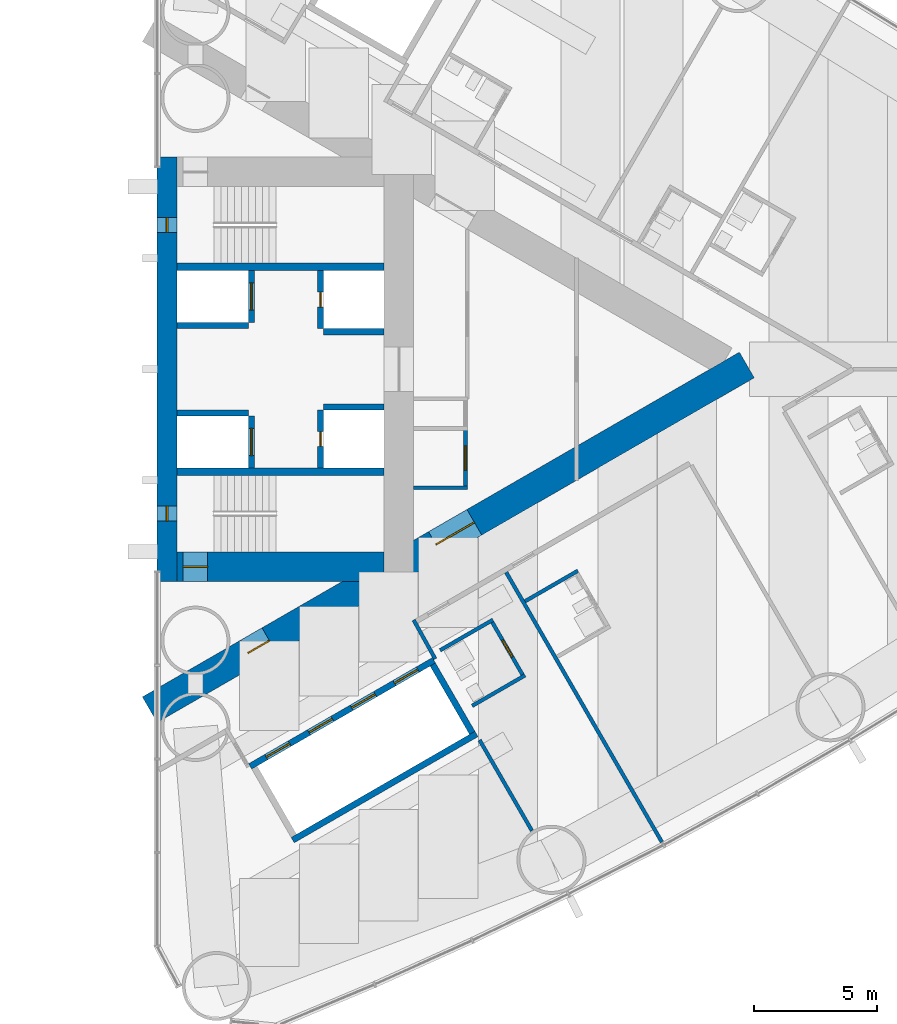
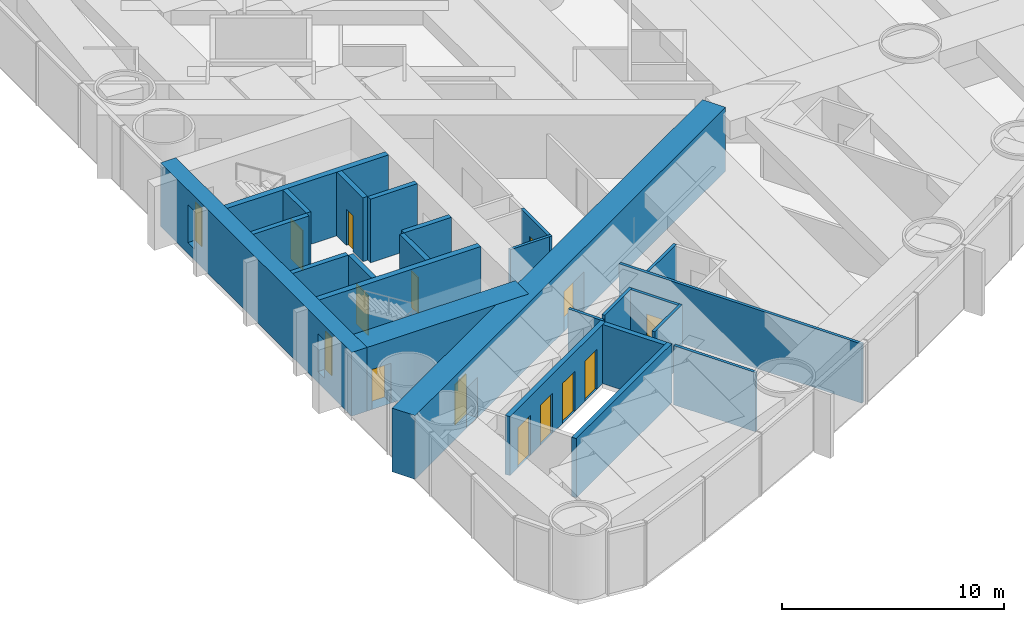
# One storey, part 14 of 19: 25 walls, 13 doors, 2 windows, 15 openings.
"""IFC4 building model written with IfcOpenShell, lengths in metres."""

from ifc_helpers import new_model, si_unit, direction, frame, frame_2d, origin, place, context, subcontext, project, spatial, rectangle, extrude, material, layer, layer_set, type_object, element, fill, save


model = new_model("IFC4")

# Units and contexts
model_context = context("Model", 3, precision=1e-05, world=origin(), true_north=direction((0.0, 1.0)))
body_context = subcontext(model_context, "Body", "Model", "MODEL_VIEW")
ifc_project = project(units=[si_unit("LENGTHUNIT", "METRE"), si_unit("AREAUNIT", "SQUARE_METRE"), si_unit("VOLUMEUNIT", "CUBIC_METRE"), si_unit("PLANEANGLEUNIT", "RADIAN"), si_unit("MASSUNIT", "GRAM", prefix="KILO")], contexts=[model_context])

# Site, building, storey
site_placement = place(None, origin())
site = spatial("IfcSite", under=ifc_project, at=site_placement, CompositionType="ELEMENT")
building_placement = place(site_placement, origin())
building = spatial("IfcBuilding", under=site, at=building_placement, Name="Lancet Gate Hotel", CompositionType="ELEMENT")
storey_placement = place(building_placement, frame((0.0, 0.0, 60.0)))
storey = spatial("IfcBuildingStorey", under=building, at=storey_placement, Name="L15", CompositionType="ELEMENT", Elevation=60.0)

# Walls
ifc_material_1 = material(Name="Moisture resistant board partition")
ifc_layer_1 = layer(ifc_material_1, 0.14990234375)
ifc_layer_set_1 = layer_set([ifc_layer_1], Name="Bathroom wall 150")
wall_type_1 = type_object("IfcWallType", Name="Bathroom wall 150", PredefinedType="PARTITIONING", material=ifc_layer_set_1)
wall_1_placement = place(storey_placement, frame((42.412353515625, -9.405029296875, 0.0), z_axis=(0.0, 0.0, 1.0), x_axis=(0.866006523861, 0.500032699561, 0.0)))
element("IfcWall", 1, at=wall_1_placement, inside=storey, type_object=wall_type_1, Name="T2 bathroom wall 150 L15", PredefinedType="PARTITIONING", context=body_context, shape_type="SweptSolid", body=[
    extrude(rectangle(XDim=2.474853515625, YDim=0.14990234375, at=frame_2d((1.2373046875, 0.0))), origin(), (0.0, 0.0, 1.0), 3.25),
])
wall_2_placement = place(storey_placement, frame((40.269775390625, -13.644287109375, 0.0), z_axis=(0.0, 0.0, 1.0), x_axis=(0.866031185235, 0.4999899861, 0.0)))
element("IfcWall", 2, at=wall_2_placement, inside=storey, type_object=wall_type_1, Name="T2 bathroom wall 150 L15", PredefinedType="PARTITIONING", context=body_context, shape_type="SweptSolid", body=[
    extrude(rectangle(XDim=2.47509765625, YDim=0.14990234375, at=frame_2d((1.237548828125, 0.0))), origin(), (0.0, 0.0, 1.0), 3.25),
])

# Wall, opening, door
wall_3_placement = place(storey_placement, frame((41.04833984375, -10.192626953125, 0.0), z_axis=(0.0, 0.0, 1.0), x_axis=(0.500047596559, -0.865997922154, 0.0)))
wall_3 = element("IfcWall", 3, at=wall_3_placement, inside=storey, type_object=wall_type_1, Name="T2 bathroom wall 150 L15", PredefinedType="PARTITIONING", context=body_context, shape_type="SweptSolid", body=[
    extrude(rectangle(XDim=2.599853515625, YDim=0.14990234375, at=frame_2d((1.2998046875, 0.0))), origin(), (0.0, 0.0, 1.0), 3.25),
])
opening_1_placement = place(wall_3_placement, frame((0.89990234375, 0.0, 0.0)))
opening_1 = element("IfcOpeningElement", 4, at=opening_1_placement, cuts=wall_3, Name="Opening 1553-B", PredefinedType="OPENING", context=body_context, shape_type="SweptSolid", body=[
    extrude(rectangle(XDim=0.800048828125, YDim=2.199951171875, at=frame_2d((0.39990234375, 1.10009765625))), frame((0.0, 0.0849609375, 0.0), z_axis=(0.0, -1.0, 0.0), x_axis=(1.0, 0.0, 0.0)), (0.0, 0.0, 1.0), 0.169921875),
])
ifc_material_2 = material(Name="Timber door set", Category="wood")
door_type_1 = type_object("IfcDoorType", Name="Bathroom door 800", OperationType="SINGLE_SWING_RIGHT", PredefinedType="DOOR", material=ifc_material_2)
door_1_placement = place(opening_1_placement, origin())
door_1 = element("IfcDoor", 5, at=door_1_placement, inside=storey, type_object=door_type_1, Name="1553-B", OperationType="SINGLE_SWING_RIGHT", OverallHeight=2.199951171875, OverallWidth=0.800048828125, PredefinedType="DOOR", context=body_context, shape_type="SweptSolid", body=[
    extrude(rectangle(XDim=0.800048828125, YDim=2.199951171875, at=frame_2d((0.39990234375, 1.10009765625))), frame((0.0, 0.02490234375, 0.0), z_axis=(0.0, -1.0, 0.0), x_axis=(1.0, 0.0, 0.0)), (0.0, 0.0, 1.0), 0.050048828125),
])
fill(opening_1, door_1)

# Wall
wall_4_placement = place(storey_placement, frame((38.9697265625, -11.392578125, 0.0), z_axis=(0.0, 0.0, 1.0), x_axis=(0.866031185235, 0.4999899861, 0.0)))
element("IfcWall", 6, at=wall_4_placement, inside=storey, type_object=wall_type_1, Name="T2 bathroom wall 150 L15", PredefinedType="PARTITIONING", context=body_context, shape_type="SweptSolid", body=[
    extrude(rectangle(XDim=2.47509765625, YDim=0.14990234375, at=frame_2d((1.237548828125, 0.0))), origin(), (0.0, 0.0, 1.0), 3.25),
])

# Wall, openings, doors
ifc_material_3 = material(Name="Concrete C70/85", Category="concrete")
ifc_layer_2 = layer(ifc_material_3, 1.199951171875)
ifc_layer_set_2 = layer_set([ifc_layer_2], Name="Buttress wall 1200")
wall_type_2 = type_object("IfcWallType", Name="Buttress wall 1200", PredefinedType="SHEAR", material=ifc_layer_set_2)
wall_5_placement = place(storey_placement, frame((27.199951171875, -13.800048828125, 0.0), z_axis=(0.0, 0.0, 1.0), x_axis=(0.866027159892, 0.499996958321, 0.0)))
wall_5 = element("IfcWall", 7, at=wall_5_placement, inside=storey, type_object=wall_type_2, Name="T2 buttress wall S L15", PredefinedType="SHEAR", context=body_context, shape_type="SweptSolid", body=[
    extrude(rectangle(XDim=27.946533203125, YDim=1.199951171875, at=frame_2d((13.97314453125, 0.0))), origin(), (0.0, 0.0, 1.0), 3.5),
])
opening_2_placement = place(wall_5_placement, frame((4.60009765625, 0.0, 0.0)))
opening_2 = element("IfcOpeningElement", 8, at=opening_2_placement, cuts=wall_5, Name="Opening T2-L15-LS", PredefinedType="OPENING", context=body_context, shape_type="SweptSolid", body=[
    extrude(rectangle(XDim=1.0, YDim=2.199951171875, at=frame_2d((0.5, 1.10009765625))), frame((0.0, 0.60986328125, 0.0), z_axis=(0.0, -1.0, 0.0), x_axis=(1.0, 0.0, 0.0)), (0.0, 0.0, 1.0), 1.219970703125),
])
opening_3_placement = place(wall_5_placement, frame((13.39453125, 0.0, 0.0)))
opening_3 = element("IfcOpeningElement", 9, at=opening_3_placement, cuts=wall_5, Name="Opening T2-L15-LHS", PredefinedType="OPENING", context=body_context, shape_type="SweptSolid", body=[
    extrude(rectangle(XDim=1.800048828125, YDim=2.199951171875, at=frame_2d((0.89990234375, 1.10009765625))), frame((0.0, 0.60986328125, 0.0), z_axis=(0.0, -1.0, 0.0), x_axis=(1.0, 0.0, 0.0)), (0.0, 0.0, 1.0), 1.219970703125),
])
ifc_material_4 = material(Name="Timber door set", Category="wood")
door_type_2 = type_object("IfcDoorType", Name="Lobby double door 1800", OperationType="DOUBLE_DOOR_SINGLE_SWING", PredefinedType="DOOR", material=ifc_material_4)
door_2_placement = place(opening_3_placement, origin())
door_2 = element("IfcDoor", 10, at=door_2_placement, inside=storey, type_object=door_type_2, Name="T2-L15-LHS", OperationType="DOUBLE_DOOR_SINGLE_SWING", OverallHeight=2.199951171875, OverallWidth=1.800048828125, PredefinedType="DOOR", context=body_context, shape_type="SweptSolid", body=[
    extrude(rectangle(XDim=1.800048828125, YDim=2.199951171875, at=frame_2d((0.89990234375, 1.10009765625))), frame((0.0, 0.02490234375, 0.0), z_axis=(0.0, -1.0, 0.0), x_axis=(1.0, 0.0, 0.0)), (0.0, 0.0, 1.0), 0.050048828125),
])
fill(opening_3, door_2)
ifc_material_5 = material(Name="Timber door set", Category="wood")
door_type_3 = type_object("IfcDoorType", Name="Stair lobby door 1000", OperationType="SINGLE_SWING_LEFT", PredefinedType="DOOR", material=ifc_material_5)
door_3_placement = place(opening_2_placement, origin())
door_3 = element("IfcDoor", 11, at=door_3_placement, inside=storey, type_object=door_type_3, Name="T2-L15-LS", OperationType="SINGLE_SWING_LEFT", OverallHeight=2.199951171875, OverallWidth=1.0, PredefinedType="DOOR", context=body_context, shape_type="SweptSolid", body=[
    extrude(rectangle(XDim=1.0, YDim=2.199951171875, at=frame_2d((0.5, 1.10009765625))), frame((0.0, 0.02490234375, 0.0), z_axis=(0.0, -1.0, 0.0), x_axis=(1.0, 0.0, 0.0)), (0.0, 0.0, 1.0), 0.050048828125),
])
fill(opening_2, door_3)

# Wall, opening, door
ifc_material_6 = material(Name="Concrete C70/85", Category="concrete")
ifc_layer_3 = layer(ifc_material_6, 1.199951171875)
ifc_layer_set_3 = layer_set([ifc_layer_3], Name="Core wall 1200")
wall_type_3 = type_object("IfcWallType", Name="Core wall 1200", PredefinedType="SHEAR", material=ifc_layer_set_3)
wall_6_placement = place(storey_placement, frame((28.300048828125, -8.0, 0.0), z_axis=(0.0, 0.0, 1.0), x_axis=(1.0, 0.0, 0.0)))
wall_6 = element("IfcWall", 12, at=wall_6_placement, inside=storey, type_object=wall_type_3, Name="T2 core wall side-S L15", PredefinedType="SHEAR", context=body_context, shape_type="SweptSolid", body=[
    extrude(rectangle(XDim=8.39990234375, YDim=1.199951171875, at=frame_2d((4.199951171875, 0.0))), origin(), (0.0, 0.0, 1.0), 3.5),
])
opening_4_placement = place(wall_6_placement, frame((0.25, 0.0, 0.0)))
opening_4 = element("IfcOpeningElement", 13, at=opening_4_placement, cuts=wall_6, Name="Opening T2-L15-ST1", PredefinedType="OPENING", context=body_context, shape_type="SweptSolid", body=[
    extrude(rectangle(XDim=1.0, YDim=2.199951171875, at=frame_2d((0.5, 1.10009765625))), frame((0.0, 0.60986328125, 0.0), z_axis=(0.0, -1.0, 0.0), x_axis=(1.0, 0.0, 0.0)), (0.0, 0.0, 1.0), 1.219970703125),
])
ifc_material_7 = material(Name="Timber door set", Category="wood")
door_type_4 = type_object("IfcDoorType", Name="Stair door 1000", OperationType="SINGLE_SWING_RIGHT", PredefinedType="DOOR", material=ifc_material_7)
door_4_placement = place(opening_4_placement, origin())
door_4 = element("IfcDoor", 14, at=door_4_placement, inside=storey, type_object=door_type_4, Name="T2-L15-ST1", OperationType="SINGLE_SWING_RIGHT", OverallHeight=2.199951171875, OverallWidth=1.0, PredefinedType="DOOR", context=body_context, shape_type="SweptSolid", body=[
    extrude(rectangle(XDim=1.0, YDim=2.199951171875, at=frame_2d((0.5, 1.10009765625))), frame((0.0, 0.02490234375, 0.0), z_axis=(0.0, -1.0, 0.0), x_axis=(1.0, 0.0, 0.0)), (0.0, 0.0, 1.0), 0.050048828125),
])
fill(opening_4, door_4)

# Wall, openings, windows
ifc_material_8 = material(Name="Concrete C70/85", Category="concrete")
ifc_layer_4 = layer(ifc_material_8, 0.800048828125)
ifc_layer_set_4 = layer_set([ifc_layer_4], Name="Core wall 800")
wall_type_4 = type_object("IfcWallType", Name="Core wall 800", PredefinedType="SHEAR", material=ifc_layer_set_4)
wall_7_placement = place(storey_placement, frame((27.89990234375, -8.60009765625, 0.0), z_axis=(0.0, 0.0, 1.0), x_axis=(0.0, 1.0, 0.0)))
wall_7 = element("IfcWall", 15, at=wall_7_placement, inside=storey, type_object=wall_type_4, Name="T2 core wall front L15", PredefinedType="SHEAR", context=body_context, shape_type="SweptSolid", body=[
    extrude(rectangle(XDim=17.2001953125, YDim=0.800048828125, at=frame_2d((8.60009765625, 0.0))), origin(), (0.0, 0.0, 1.0), 3.5),
])
opening_5_placement = place(wall_7_placement, frame((2.449951171875, 0.0, 0.60009765625)))
opening_5 = element("IfcOpeningElement", 16, at=opening_5_placement, cuts=wall_7, Name="Opening LW1", PredefinedType="OPENING", context=body_context, shape_type="SweptSolid", body=[
    extrude(rectangle(XDim=0.60009765625, YDim=2.10009765625, at=frame_2d((0.300048828125, 1.050048828125))), frame((0.0, 0.409912109375, 0.0), z_axis=(0.0, -1.0, 0.0), x_axis=(1.0, 0.0, 0.0)), (0.0, 0.0, 1.0), 0.820068359375),
])
opening_6_placement = place(wall_7_placement, frame((14.14990234375, 0.0, 0.60009765625)))
opening_6 = element("IfcOpeningElement", 17, at=opening_6_placement, cuts=wall_7, Name="Opening LW1", PredefinedType="OPENING", context=body_context, shape_type="SweptSolid", body=[
    extrude(rectangle(XDim=0.60009765625, YDim=2.10009765625, at=frame_2d((0.300048828125, 1.050048828125))), frame((0.0, 0.409912109375, 0.0), z_axis=(0.0, -1.0, 0.0), x_axis=(1.0, 0.0, 0.0)), (0.0, 0.0, 1.0), 0.820068359375),
])
ifc_material_9 = material(Name="Fire-resisting glazed steel window", Category="steel")
window_type = type_object("IfcWindowType", Name="Lancet window 600x2100", PartitioningType="SINGLE_PANEL", PredefinedType="WINDOW", material=ifc_material_9)
window_1_placement = place(opening_5_placement, origin())
window_1 = element("IfcWindow", 18, at=window_1_placement, inside=storey, type_object=window_type, Name="T2 stair window S L15", OverallHeight=2.10009765625, OverallWidth=0.60009765625, PartitioningType="SINGLE_PANEL", PredefinedType="WINDOW", context=body_context, shape_type="SweptSolid", body=[
    extrude(rectangle(XDim=0.60009765625, YDim=2.10009765625, at=frame_2d((0.300048828125, 1.050048828125))), frame((0.0, 0.030029296875, 0.0), z_axis=(0.0, -1.0, 0.0), x_axis=(1.0, 0.0, 0.0)), (0.0, 0.0, 1.0), 0.06005859375),
])
fill(opening_5, window_1)
window_2_placement = place(opening_6_placement, origin())
window_2 = element("IfcWindow", 19, at=window_2_placement, inside=storey, type_object=window_type, Name="T2 stair window N L15", OverallHeight=2.10009765625, OverallWidth=0.60009765625, PartitioningType="SINGLE_PANEL", PredefinedType="WINDOW", context=body_context, shape_type="SweptSolid", body=[
    extrude(rectangle(XDim=0.60009765625, YDim=2.10009765625, at=frame_2d((0.300048828125, 1.050048828125))), frame((0.0, 0.030029296875, 0.0), z_axis=(0.0, -1.0, 0.0), x_axis=(1.0, 0.0, 0.0)), (0.0, 0.0, 1.0), 0.06005859375),
])
fill(opening_6, window_2)

# Wall, openings, doors
ifc_material_10 = material(Name="Gypsum board partition")
ifc_layer_5 = layer(ifc_material_10, 0.25)
ifc_layer_set_5 = layer_set([ifc_layer_5], Name="Lift shaft partition 250")
wall_type_5 = type_object("IfcWallType", Name="Lift shaft partition 250", PredefinedType="PARTITIONING", material=ifc_layer_set_5)
wall_8_placement = place(storey_placement, frame((31.2705078125, -16.09716796875, 0.0), z_axis=(0.0, 0.0, 1.0), x_axis=(0.86604045752, 0.499973925258, 0.0)))
wall_8 = element("IfcWall", 20, at=wall_8_placement, inside=storey, type_object=wall_type_5, Name="T2 lift shaft wall LR L15", PredefinedType="PARTITIONING", context=body_context, shape_type="SweptSolid", body=[
    extrude(rectangle(XDim=8.60009765625, YDim=0.25, at=frame_2d((4.300048828125, 0.0))), origin(), (0.0, 0.0, 1.0), 3.25),
])
opening_7_placement = place(wall_8_placement, frame((0.75, 0.0, 0.0)))
opening_7 = element("IfcOpeningElement", 21, at=opening_7_placement, cuts=wall_8, Name="Opening T2-LR1-L15", PredefinedType="OPENING", context=body_context, shape_type="SweptSolid", body=[
    extrude(rectangle(XDim=1.10009765625, YDim=2.199951171875, at=frame_2d((0.550048828125, 1.10009765625))), frame((0.0, 0.135009765625, 0.0), z_axis=(0.0, -1.0, 0.0), x_axis=(1.0, 0.0, 0.0)), (0.0, 0.0, 1.0), 0.27001953125),
])
opening_8_placement = place(wall_8_placement, frame((2.75, 0.0, 0.0)))
opening_8 = element("IfcOpeningElement", 22, at=opening_8_placement, cuts=wall_8, Name="Opening T2-LR2-L15", PredefinedType="OPENING", context=body_context, shape_type="SweptSolid", body=[
    extrude(rectangle(XDim=1.10009765625, YDim=2.199951171875, at=frame_2d((0.550048828125, 1.10009765625))), frame((0.0, 0.135009765625, 0.0), z_axis=(0.0, -1.0, 0.0), x_axis=(1.0, 0.0, 0.0)), (0.0, 0.0, 1.0), 0.27001953125),
])
opening_9_placement = place(wall_8_placement, frame((4.75, 0.0, 0.0)))
opening_9 = element("IfcOpeningElement", 23, at=opening_9_placement, cuts=wall_8, Name="Opening T2-LR3-L15", PredefinedType="OPENING", context=body_context, shape_type="SweptSolid", body=[
    extrude(rectangle(XDim=1.10009765625, YDim=2.199951171875, at=frame_2d((0.550048828125, 1.10009765625))), frame((0.0, 0.135009765625, 0.0), z_axis=(0.0, -1.0, 0.0), x_axis=(1.0, 0.0, 0.0)), (0.0, 0.0, 1.0), 0.27001953125),
])
opening_10_placement = place(wall_8_placement, frame((6.75, 0.0, 0.0)))
opening_10 = element("IfcOpeningElement", 24, at=opening_10_placement, cuts=wall_8, Name="Opening T2-LR4-L15", PredefinedType="OPENING", context=body_context, shape_type="SweptSolid", body=[
    extrude(rectangle(XDim=1.10009765625, YDim=2.199951171875, at=frame_2d((0.550048828125, 1.10009765625))), frame((0.0, 0.135009765625, 0.0), z_axis=(0.0, -1.0, 0.0), x_axis=(1.0, 0.0, 0.0)), (0.0, 0.0, 1.0), 0.27001953125),
])
ifc_material_11 = material(Name="Steel door set", Category="steel")
door_type_5 = type_object("IfcDoorType", Name="Lift landing door 1100", OperationType="DOUBLE_DOOR_SLIDING", PredefinedType="USERDEFINED", material=ifc_material_11)
door_5_placement = place(opening_7_placement, origin())
door_5 = element("IfcDoor", 25, at=door_5_placement, inside=storey, type_object=door_type_5, Name="T2-LR1-L15", ObjectType="LIFT LANDING DOOR", OperationType="DOUBLE_DOOR_SLIDING", OverallHeight=2.199951171875, OverallWidth=1.10009765625, PredefinedType="USERDEFINED", context=body_context, shape_type="SweptSolid", body=[
    extrude(rectangle(XDim=1.10009765625, YDim=2.199951171875, at=frame_2d((0.550048828125, 1.10009765625))), frame((0.0, 0.02490234375, 0.0), z_axis=(0.0, -1.0, 0.0), x_axis=(1.0, 0.0, 0.0)), (0.0, 0.0, 1.0), 0.050048828125),
])
fill(opening_7, door_5)
door_6_placement = place(opening_8_placement, origin())
door_6 = element("IfcDoor", 26, at=door_6_placement, inside=storey, type_object=door_type_5, Name="T2-LR2-L15", ObjectType="LIFT LANDING DOOR", OperationType="DOUBLE_DOOR_SLIDING", OverallHeight=2.199951171875, OverallWidth=1.10009765625, PredefinedType="USERDEFINED", context=body_context, shape_type="SweptSolid", body=[
    extrude(rectangle(XDim=1.10009765625, YDim=2.199951171875, at=frame_2d((0.550048828125, 1.10009765625))), frame((0.0, 0.02490234375, 0.0), z_axis=(0.0, -1.0, 0.0), x_axis=(1.0, 0.0, 0.0)), (0.0, 0.0, 1.0), 0.050048828125),
])
fill(opening_8, door_6)
door_7_placement = place(opening_9_placement, origin())
door_7 = element("IfcDoor", 27, at=door_7_placement, inside=storey, type_object=door_type_5, Name="T2-LR3-L15", ObjectType="LIFT LANDING DOOR", OperationType="DOUBLE_DOOR_SLIDING", OverallHeight=2.199951171875, OverallWidth=1.10009765625, PredefinedType="USERDEFINED", context=body_context, shape_type="SweptSolid", body=[
    extrude(rectangle(XDim=1.10009765625, YDim=2.199951171875, at=frame_2d((0.550048828125, 1.10009765625))), frame((0.0, 0.02490234375, 0.0), z_axis=(0.0, -1.0, 0.0), x_axis=(1.0, 0.0, 0.0)), (0.0, 0.0, 1.0), 0.050048828125),
])
fill(opening_9, door_7)
door_8_placement = place(opening_10_placement, origin())
door_8 = element("IfcDoor", 28, at=door_8_placement, inside=storey, type_object=door_type_5, Name="T2-LR4-L15", ObjectType="LIFT LANDING DOOR", OperationType="DOUBLE_DOOR_SLIDING", OverallHeight=2.199951171875, OverallWidth=1.10009765625, PredefinedType="USERDEFINED", context=body_context, shape_type="SweptSolid", body=[
    extrude(rectangle(XDim=1.10009765625, YDim=2.199951171875, at=frame_2d((0.550048828125, 1.10009765625))), frame((0.0, 0.02490234375, 0.0), z_axis=(0.0, -1.0, 0.0), x_axis=(1.0, 0.0, 0.0)), (0.0, 0.0, 1.0), 0.050048828125),
])
fill(opening_10, door_8)

# Walls
wall_9_placement = place(storey_placement, frame((32.99560546875, -19.085693359375, 0.0), z_axis=(0.0, 0.0, 1.0), x_axis=(0.866028165386, 0.499995216735, 0.0)))
element("IfcWall", 29, at=wall_9_placement, inside=storey, type_object=wall_type_5, Name="T2 lift shaft wall LR L15", PredefinedType="PARTITIONING", context=body_context, shape_type="SweptSolid", body=[
    extrude(rectangle(XDim=8.60009765625, YDim=0.25, at=frame_2d((4.300048828125, 0.0))), origin(), (0.0, 0.0, 1.0), 3.25),
])
wall_10_placement = place(storey_placement, frame((38.672607421875, -11.968017578125, 0.0), z_axis=(0.0, 0.0, 1.0), x_axis=(0.499929347863, -0.866066190972, 0.0)))
element("IfcWall", 30, at=wall_10_placement, inside=storey, type_object=wall_type_5, Name="T2 lift shaft wall LR L15", PredefinedType="PARTITIONING", context=body_context, shape_type="SweptSolid", body=[
    extrude(rectangle(XDim=3.20068359375, YDim=0.25, at=frame_2d((1.600341796875, 0.0))), origin(), (0.0, 0.0, 1.0), 3.25),
])

# Wall, opening, door
ifc_material_12 = material(Name="Concrete C50/60", Category="concrete")
ifc_layer_6 = layer(ifc_material_12, 0.25)
ifc_layer_set_6 = layer_set([ifc_layer_6], Name="Lift shaft wall 250")
wall_type_6 = type_object("IfcWallType", Name="Lift shaft wall 250", PredefinedType="SHEAR", material=ifc_layer_set_6)
wall_11_placement = place(storey_placement, frame((31.324951171875, -4.0, 0.0), z_axis=(0.0, 0.0, 1.0), x_axis=(0.0, 1.0, 0.0)))
wall_11 = element("IfcWall", 31, at=wall_11_placement, inside=storey, type_object=wall_type_6, Name="T2 core wall row1-S L15", PredefinedType="SHEAR", context=body_context, shape_type="SweptSolid", body=[
    extrude(rectangle(XDim=2.10009765625, YDim=0.25, at=frame_2d((1.050048828125, 0.0))), origin(), (0.0, 0.0, 1.0), 3.5),
])
opening_11_placement = place(wall_11_placement, frame((0.5, 0.0, 0.0)))
opening_11 = element("IfcOpeningElement", 32, at=opening_11_placement, cuts=wall_11, Name="Opening T2-SL1-L15", PredefinedType="OPENING", context=body_context, shape_type="SweptSolid", body=[
    extrude(rectangle(XDim=1.10009765625, YDim=2.199951171875, at=frame_2d((0.550048828125, 1.10009765625))), frame((0.0, 0.135009765625, 0.0), z_axis=(0.0, -1.0, 0.0), x_axis=(1.0, 0.0, 0.0)), (0.0, 0.0, 1.0), 0.27001953125),
])
ifc_material_13 = material(Name="Timber door set", Category="wood")
door_type_6 = type_object("IfcDoorType", Name="Service lift landing door 1100", OperationType="SLIDING_TO_LEFT", PredefinedType="USERDEFINED", material=ifc_material_13)
door_9_placement = place(opening_11_placement, origin())
door_9 = element("IfcDoor", 33, at=door_9_placement, inside=storey, type_object=door_type_6, Name="T2-SL1-L15", ObjectType="LIFT LANDING DOOR", OperationType="SLIDING_TO_LEFT", OverallHeight=2.199951171875, OverallWidth=1.10009765625, PredefinedType="USERDEFINED", context=body_context, shape_type="SweptSolid", body=[
    extrude(rectangle(XDim=1.10009765625, YDim=2.199951171875, at=frame_2d((0.550048828125, 1.10009765625))), frame((0.0, 0.02490234375, 0.0), z_axis=(0.0, -1.0, 0.0), x_axis=(1.0, 0.0, 0.0)), (0.0, 0.0, 1.0), 0.050048828125),
])
fill(opening_11, door_9)

wall_12_placement = place(storey_placement, frame((34.125, -4.0, 0.0), z_axis=(0.0, 0.0, 1.0), x_axis=(0.0, 1.0, 0.0)))
wall_12 = element("IfcWall", 34, at=wall_12_placement, inside=storey, type_object=wall_type_6, Name="T2 core wall row2-S L15", PredefinedType="SHEAR", context=body_context, shape_type="SweptSolid", body=[
    extrude(rectangle(XDim=2.35009765625, YDim=0.25, at=frame_2d((1.175048828125, 0.0))), origin(), (0.0, 0.0, 1.0), 3.5),
])
opening_12_placement = place(wall_12_placement, frame((0.875, 0.0, 0.0)))
opening_12 = element("IfcOpeningElement", 35, at=opening_12_placement, cuts=wall_12, Name="Opening T2-OL3-L15-E", PredefinedType="OPENING", context=body_context, shape_type="SweptSolid", body=[
    extrude(rectangle(XDim=0.60009765625, YDim=2.0, at=frame_2d((0.300048828125, 1.0))), frame((0.0, 0.135009765625, 0.0), z_axis=(0.0, -1.0, 0.0), x_axis=(1.0, 0.0, 0.0)), (0.0, 0.0, 1.0), 0.27001953125),
])
ifc_material_14 = material(Name="Steel door set", Category="steel")
door_type_7 = type_object("IfcDoorType", Name="Lift shaft emergency door 600x2000", OperationType="SLIDING_TO_LEFT", PredefinedType="DOOR", material=ifc_material_14)
door_10_placement = place(opening_12_placement, origin())
door_10 = element("IfcDoor", 36, at=door_10_placement, inside=storey, type_object=door_type_7, Name="T2-OL3-L15-E", OperationType="SLIDING_TO_LEFT", OverallHeight=2.0, OverallWidth=0.60009765625, PredefinedType="DOOR", context=body_context, shape_type="SweptSolid", body=[
    extrude(rectangle(XDim=0.60009765625, YDim=2.0, at=frame_2d((0.300048828125, 1.0))), frame((0.0, 0.02490234375, 0.0), z_axis=(0.0, -1.0, 0.0), x_axis=(1.0, 0.0, 0.0)), (0.0, 0.0, 1.0), 0.050048828125),
])
fill(opening_12, door_10)

# Walls
wall_13_placement = place(storey_placement, frame((28.300048828125, -1.77490234375, 0.0), z_axis=(0.0, 0.0, 1.0), x_axis=(1.0, 0.0, 0.0)))
element("IfcWall", 37, at=wall_13_placement, inside=storey, type_object=wall_type_6, Name="T2 core wall pass1-S L15", PredefinedType="SHEAR", context=body_context, shape_type="SweptSolid", body=[
    extrude(rectangle(XDim=2.89990234375, YDim=0.25, at=frame_2d((1.449951171875, 0.0))), origin(), (0.0, 0.0, 1.0), 3.5),
])
wall_14_placement = place(storey_placement, frame((34.25, -1.52490234375, 0.0), z_axis=(0.0, 0.0, 1.0), x_axis=(1.0, 0.0, 0.0)))
element("IfcWall", 38, at=wall_14_placement, inside=storey, type_object=wall_type_6, Name="T2 core wall pass2-S L15", PredefinedType="SHEAR", context=body_context, shape_type="SweptSolid", body=[
    extrude(rectangle(XDim=2.449951171875, YDim=0.25, at=frame_2d((1.22509765625, 0.0))), origin(), (0.0, 0.0, 1.0), 3.5),
])

# Wall, opening, door
wall_15_placement = place(storey_placement, frame((31.324951171875, 1.89990234375, 0.0), z_axis=(0.0, 0.0, 1.0), x_axis=(0.0, 1.0, 0.0)))
wall_15 = element("IfcWall", 39, at=wall_15_placement, inside=storey, type_object=wall_type_6, Name="T2 core wall row1-N L15", PredefinedType="SHEAR", context=body_context, shape_type="SweptSolid", body=[
    extrude(rectangle(XDim=2.10009765625, YDim=0.25, at=frame_2d((1.050048828125, 0.0))), origin(), (0.0, 0.0, 1.0), 3.5),
])
opening_13_placement = place(wall_15_placement, frame((0.5, 0.0, 0.0)))
opening_13 = element("IfcOpeningElement", 40, at=opening_13_placement, cuts=wall_15, Name="Opening T2-FL2-L15", PredefinedType="OPENING", context=body_context, shape_type="SweptSolid", body=[
    extrude(rectangle(XDim=1.10009765625, YDim=2.199951171875, at=frame_2d((0.550048828125, 1.10009765625))), frame((0.0, 0.135009765625, 0.0), z_axis=(0.0, -1.0, 0.0), x_axis=(1.0, 0.0, 0.0)), (0.0, 0.0, 1.0), 0.27001953125),
])
ifc_material_15 = material(Name="Steel door set", Category="steel")
door_type_8 = type_object("IfcDoorType", Name="Firefighting lift landing door 1100", OperationType="SLIDING_TO_LEFT", PredefinedType="USERDEFINED", material=ifc_material_15)
door_11_placement = place(opening_13_placement, origin())
door_11 = element("IfcDoor", 41, at=door_11_placement, inside=storey, type_object=door_type_8, Name="T2-FL2-L15", ObjectType="LIFT LANDING DOOR", OperationType="SLIDING_TO_LEFT", OverallHeight=2.199951171875, OverallWidth=1.10009765625, PredefinedType="USERDEFINED", context=body_context, shape_type="SweptSolid", body=[
    extrude(rectangle(XDim=1.10009765625, YDim=2.199951171875, at=frame_2d((0.550048828125, 1.10009765625))), frame((0.0, 0.02490234375, 0.0), z_axis=(0.0, -1.0, 0.0), x_axis=(1.0, 0.0, 0.0)), (0.0, 0.0, 1.0), 0.050048828125),
])
fill(opening_13, door_11)

wall_16_placement = place(storey_placement, frame((34.125, 1.64990234375, 0.0), z_axis=(0.0, 0.0, 1.0), x_axis=(0.0, 1.0, 0.0)))
wall_16 = element("IfcWall", 42, at=wall_16_placement, inside=storey, type_object=wall_type_6, Name="T2 core wall row2-N L15", PredefinedType="SHEAR", context=body_context, shape_type="SweptSolid", body=[
    extrude(rectangle(XDim=2.35009765625, YDim=0.25, at=frame_2d((1.175048828125, 0.0))), origin(), (0.0, 0.0, 1.0), 3.5),
])
opening_14_placement = place(wall_16_placement, frame((0.875, 0.0, 0.0)))
opening_14 = element("IfcOpeningElement", 43, at=opening_14_placement, cuts=wall_16, Name="Opening T2-OL4-L15-E", PredefinedType="OPENING", context=body_context, shape_type="SweptSolid", body=[
    extrude(rectangle(XDim=0.60009765625, YDim=2.0, at=frame_2d((0.300048828125, 1.0))), frame((0.0, 0.135009765625, 0.0), z_axis=(0.0, -1.0, 0.0), x_axis=(1.0, 0.0, 0.0)), (0.0, 0.0, 1.0), 0.27001953125),
])
door_12_placement = place(opening_14_placement, origin())
door_12 = element("IfcDoor", 44, at=door_12_placement, inside=storey, type_object=door_type_7, Name="T2-OL4-L15-E", OperationType="SLIDING_TO_LEFT", OverallHeight=2.0, OverallWidth=0.60009765625, PredefinedType="DOOR", context=body_context, shape_type="SweptSolid", body=[
    extrude(rectangle(XDim=0.60009765625, YDim=2.0, at=frame_2d((0.300048828125, 1.0))), frame((0.0, 0.02490234375, 0.0), z_axis=(0.0, -1.0, 0.0), x_axis=(1.0, 0.0, 0.0)), (0.0, 0.0, 1.0), 0.050048828125),
])
fill(opening_14, door_12)

# Walls
wall_17_placement = place(storey_placement, frame((28.300048828125, 1.77490234375, 0.0), z_axis=(0.0, 0.0, 1.0), x_axis=(1.0, 0.0, 0.0)))
element("IfcWall", 45, at=wall_17_placement, inside=storey, type_object=wall_type_6, Name="T2 core wall pass1-N L15", PredefinedType="SHEAR", context=body_context, shape_type="SweptSolid", body=[
    extrude(rectangle(XDim=2.89990234375, YDim=0.25, at=frame_2d((1.449951171875, 0.0))), origin(), (0.0, 0.0, 1.0), 3.5),
])
wall_18_placement = place(storey_placement, frame((34.25, 1.52490234375, 0.0), z_axis=(0.0, 0.0, 1.0), x_axis=(1.0, 0.0, 0.0)))
element("IfcWall", 46, at=wall_18_placement, inside=storey, type_object=wall_type_6, Name="T2 core wall pass2-N L15", PredefinedType="SHEAR", context=body_context, shape_type="SweptSolid", body=[
    extrude(rectangle(XDim=2.449951171875, YDim=0.25, at=frame_2d((1.22509765625, 0.0))), origin(), (0.0, 0.0, 1.0), 3.5),
])
ifc_material_16 = material(Name="Gypsum board partition")
ifc_layer_7 = layer(ifc_material_16, 0.14990234375)
ifc_layer_set_7 = layer_set([ifc_layer_7], Name="Party wall 150")
wall_type_7 = type_object("IfcWallType", Name="Party wall 150", PredefinedType="PARTITIONING", material=ifc_layer_set_7)
wall_19_placement = place(storey_placement, frame((41.6474609375, -8.22998046875, 0.0), z_axis=(0.0, 0.0, 1.0), x_axis=(0.49998590462, -0.866033541603, 0.0)))
element("IfcWall", 47, at=wall_19_placement, inside=storey, type_object=wall_type_7, Name="T2 party wall 150 L15", PredefinedType="PARTITIONING", context=body_context, shape_type="SweptSolid", body=[
    extrude(rectangle(XDim=12.620849609375, YDim=0.14990234375, at=frame_2d((6.310546875, 0.0))), origin(), (0.0, 0.0, 1.0), 3.25),
])
wall_20_placement = place(storey_placement, frame((40.5703125, -15.030029296875, 0.0), z_axis=(0.0, 0.0, 1.0), x_axis=(0.500012993597, -0.866017901798, 0.0)))
element("IfcWall", 48, at=wall_20_placement, inside=storey, type_object=wall_type_7, Name="T2 party wall 150 L15", PredefinedType="PARTITIONING", context=body_context, shape_type="SweptSolid", body=[
    extrude(rectangle(XDim=4.2431640625, YDim=0.14990234375, at=frame_2d((2.12158203125, 0.0))), origin(), (0.0, 0.0, 1.0), 3.25),
])
ifc_material_17 = material(Name="Gypsum board partition")
ifc_layer_8 = layer(ifc_material_17, 0.14990234375)
ifc_layer_set_8 = layer_set([ifc_layer_8], Name="Service room wall 150")
wall_type_8 = type_object("IfcWallType", Name="Service room wall 150", PredefinedType="PARTITIONING", material=ifc_layer_set_8)
wall_21_placement = place(storey_placement, frame((38.7734375, -11.742431640625, 0.0), z_axis=(0.0, 0.0, 1.0), x_axis=(-0.485528096672, 0.8742210632, 0.0)))
element("IfcWall", 49, at=wall_21_placement, inside=storey, type_object=wall_type_8, Name="T2 service room wall 150 L15", PredefinedType="PARTITIONING", context=body_context, shape_type="SweptSolid", body=[
    extrude(rectangle(XDim=1.80517578125, YDim=0.14990234375, at=frame_2d((0.902587890625, 0.0))), origin(), (0.0, 0.0, 1.0), 3.25),
])
wall_22_placement = place(storey_placement, frame((37.89990234375, -4.800048828125, 0.0), z_axis=(0.0, 0.0, 1.0), x_axis=(1.0, 0.0, 0.0)))
element("IfcWall", 50, at=wall_22_placement, inside=storey, type_object=wall_type_8, Name="T2 service room wall 150 L15", PredefinedType="PARTITIONING", context=body_context, shape_type="SweptSolid", body=[
    extrude(rectangle(XDim=2.175048828125, YDim=0.14990234375, at=frame_2d((1.08740234375, 0.0))), origin(), (0.0, 0.0, 1.0), 3.25),
])

# Wall, opening, door
wall_23_placement = place(storey_placement, frame((40.0, -4.875, 0.0), z_axis=(0.0, 0.0, 1.0), x_axis=(0.0, 1.0, 0.0)))
wall_23 = element("IfcWall", 51, at=wall_23_placement, inside=storey, type_object=wall_type_8, Name="T2 service room wall 150 L15", PredefinedType="PARTITIONING", context=body_context, shape_type="SweptSolid", body=[
    extrude(rectangle(XDim=2.550048828125, YDim=0.14990234375, at=frame_2d((1.27490234375, 0.0))), origin(), (0.0, 0.0, 1.0), 3.25),
])
opening_15_placement = place(wall_23_placement, frame((0.77490234375, 0.0, 0.0)))
opening_15 = element("IfcOpeningElement", 52, at=opening_15_placement, cuts=wall_23, Name="Opening T2-L15-HRS1", PredefinedType="OPENING", context=body_context, shape_type="SweptSolid", body=[
    extrude(rectangle(XDim=1.0, YDim=2.199951171875, at=frame_2d((0.5, 1.10009765625))), frame((0.0, 0.0849609375, 0.0), z_axis=(0.0, -1.0, 0.0), x_axis=(1.0, 0.0, 0.0)), (0.0, 0.0, 1.0), 0.169921875),
])
ifc_material_18 = material(Name="Timber door set", Category="wood")
door_type_9 = type_object("IfcDoorType", Name="Service door 1000", OperationType="SINGLE_SWING_LEFT", PredefinedType="DOOR", material=ifc_material_18)
door_13_placement = place(opening_15_placement, origin())
door_13 = element("IfcDoor", 53, at=door_13_placement, inside=storey, type_object=door_type_9, Name="T2-L15-HRS1", OperationType="SINGLE_SWING_LEFT", OverallHeight=2.199951171875, OverallWidth=1.0, PredefinedType="DOOR", context=body_context, shape_type="SweptSolid", body=[
    extrude(rectangle(XDim=1.0, YDim=2.199951171875, at=frame_2d((0.5, 1.10009765625))), frame((0.0, 0.02490234375, 0.0), z_axis=(0.0, -1.0, 0.0), x_axis=(1.0, 0.0, 0.0)), (0.0, 0.0, 1.0), 0.050048828125),
])
fill(opening_15, door_13)

# Walls
ifc_material_19 = material(Name="Concrete C50/60", Category="concrete")
ifc_layer_9 = layer(ifc_material_19, 0.300048828125)
ifc_layer_set_9 = layer_set([ifc_layer_9], Name="Stair enclosure wall 300")
wall_type_9 = type_object("IfcWallType", Name="Stair enclosure wall 300", PredefinedType="SHEAR", material=ifc_layer_set_9)
for number, where, z_axis, x_axis, name in (
    (54, (28.300048828125, -4.14990234375, 0.0), (0.0, 0.0, 1.0), (1.0, 0.0, 0.0), "T2 core wall stair-S L15"),
    (55, (28.300048828125, 4.14990234375, 0.0), (0.0, 0.0, 1.0), (1.0, 0.0, 0.0), "T2 core wall stair-N L15"),
):
    element("IfcWall", number, at=place(storey_placement, frame(where, z_axis=z_axis, x_axis=x_axis)), inside=storey, type_object=wall_type_9, Name=name, PredefinedType="SHEAR", context=body_context, shape_type="SweptSolid", body=[
        extrude(rectangle(XDim=8.39990234375, YDim=0.300048828125, at=frame_2d((4.199951171875, 0.0))), origin(), (0.0, 0.0, 1.0), 3.5),
    ])

save(model, "model.ifc")
